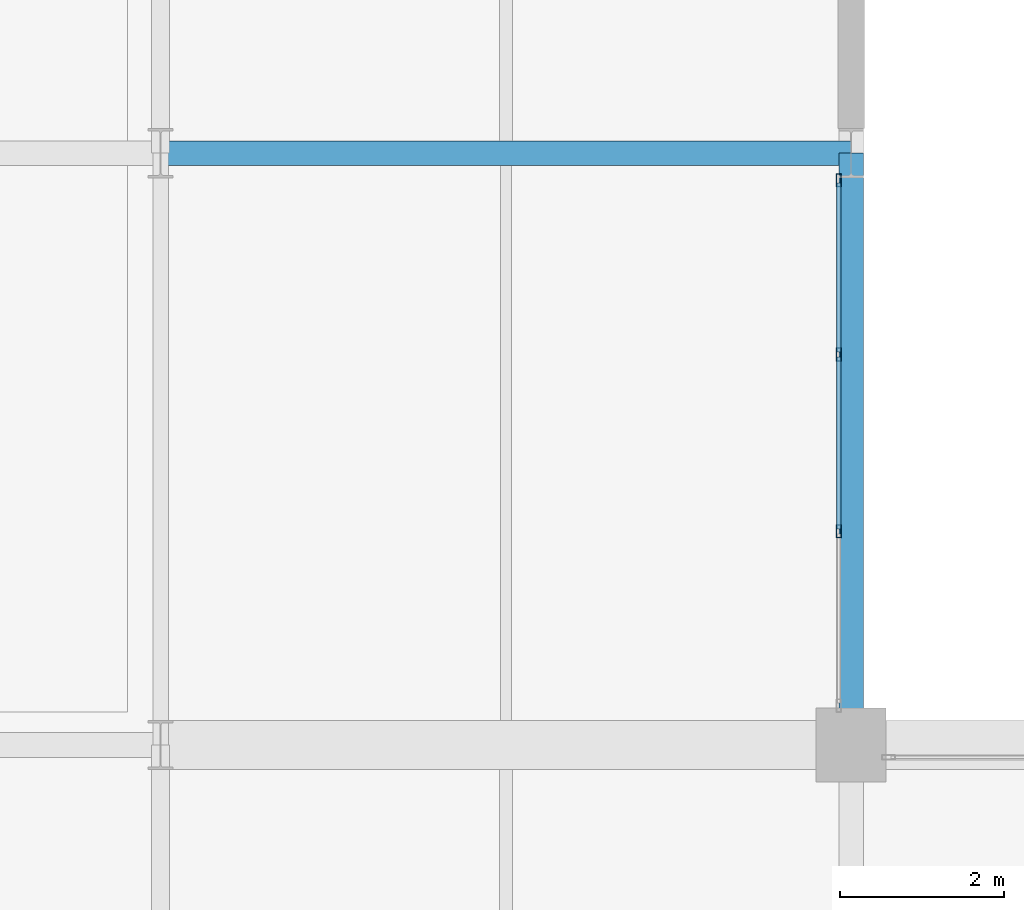
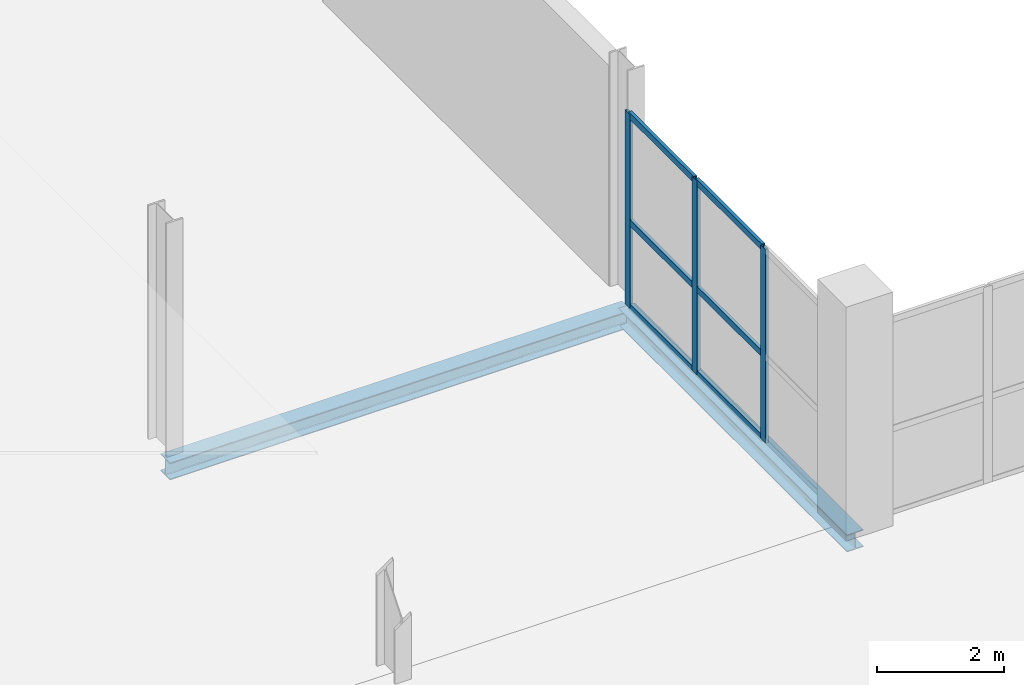
# One storey, part 49 of 130: 9 members, 2 beams, 1 element without a shape of its own.
"""IFC4 building model written with IfcOpenShell, lengths in metres."""

from ifc_helpers import new_model, si_unit, direction, frame, origin, origin_2d, place, context, subcontext, project, spatial, hollow_rectangle, i_section, extrude, material, material_profile, profile_set, type_object, element, aggregate, save


model = new_model("IFC4")

# Units and contexts
model_context = context("Model", 3, precision=1e-05, world=origin(), true_north=direction((0.0, 1.0)))
body_context = subcontext(model_context, "Body", "Model", "MODEL_VIEW")
ifc_project = project(units=[si_unit("LENGTHUNIT", "METRE"), si_unit("AREAUNIT", "SQUARE_METRE"), si_unit("VOLUMEUNIT", "CUBIC_METRE"), si_unit("PLANEANGLEUNIT", "RADIAN"), si_unit("MASSUNIT", "GRAM", prefix="KILO")], contexts=[model_context])

# Site, building, storey
site_placement = place(None, origin())
site = spatial("IfcSite", under=ifc_project, at=site_placement, CompositionType="ELEMENT")
building_placement = place(site_placement, origin())
building = spatial("IfcBuilding", under=site, at=building_placement, Name="Veltarok Museum of Natural Sciences", CompositionType="ELEMENT")
storey_placement = place(building_placement, frame((0.0, 0.0, 12.89990234375)))
storey = spatial("IfcBuildingStorey", under=building, at=storey_placement, Name="L02", CompositionType="ELEMENT", Elevation=12.89990234375)

# Curtain wall, members
ifc_material_1 = material(Name="Low-iron triple insulated glass", Category="glass")
curtain_wall_type = type_object("IfcCurtainWallType", Name="Curtain Wall System CW-V2E-L02-3-645x373 (CW-V2E L02 645x373cm)", PredefinedType="NOTDEFINED", material=ifc_material_1)
curtain_wall_placement = place(storey_placement, origin())
curtain_wall = element("IfcCurtainWall", 1, at=curtain_wall_placement, inside=storey, type_object=curtain_wall_type, Name="Curtain Wall CW-V2E-L02-3-645x373 CW-0131", PredefinedType="NOTDEFINED")
ifc_material_2 = material(Name="Thermally broken anodised aluminium", Category="aluminium")
ifc_material_profile_1 = material_profile(ifc_material_2, hollow_rectangle(XDim=0.06005859375, YDim=0.1201171875, WallThickness=0.0048828125, at=origin_2d()), Name="CW TRANSOM 60x120x5")
ifc_profile_set_1 = profile_set([ifc_material_profile_1], Name="Thermally broken anodised aluminium")
member_type_1 = type_object("IfcMemberType", Name="Curtain Wall Horizontal Transom 60x120x5", PredefinedType="USERDEFINED", material=ifc_profile_set_1)
member_1_placement = place(storey_placement, frame((98.64990234375, 21.830078125, 0.028076171875), z_axis=(0.0, 1.0, 0.0), x_axis=(-1.0, 0.0, 0.0)))
member_1 = element("IfcMember", 2, at=member_1_placement, type_object=member_type_1, Name="CW-V2E-L02-3-645x373 transom 2.1", ObjectType="TRANSOM", PredefinedType="USERDEFINED", context=body_context, shape_type="SweptSolid", body=[
    extrude(hollow_rectangle(XDim=0.06005859375, YDim=0.1201171875, WallThickness=0.0048828125, at=origin_2d()), origin(), (0.0, 0.0, 1.0), 2.08984375),
])
member_2_placement = place(storey_placement, frame((98.64990234375, 21.830078125, 1.648193359375), z_axis=(0.0, 1.0, 0.0), x_axis=(-1.0, 0.0, 0.0)))
member_2 = element("IfcMember", 3, at=member_2_placement, type_object=member_type_1, Name="CW-V2E-L02-3-645x373 transom 2.2", ObjectType="TRANSOM", PredefinedType="USERDEFINED", context=body_context, shape_type="SweptSolid", body=[
    extrude(hollow_rectangle(XDim=0.06005859375, YDim=0.1201171875, WallThickness=0.0048828125, at=origin_2d()), origin(), (0.0, 0.0, 1.0), 2.08984375),
])
member_3_placement = place(storey_placement, frame((98.64990234375, 21.830078125, 3.7001953125), z_axis=(0.0, 1.0, 0.0), x_axis=(-1.0, 0.0, 0.0)))
member_3 = element("IfcMember", 4, at=member_3_placement, type_object=member_type_1, Name="CW-V2E-L02-3-645x373 transom 2.3", ObjectType="TRANSOM", PredefinedType="USERDEFINED", context=body_context, shape_type="SweptSolid", body=[
    extrude(hollow_rectangle(XDim=0.06005859375, YDim=0.1201171875, WallThickness=0.0048828125, at=origin_2d()), origin(), (0.0, 0.0, 1.0), 2.08984375),
])
member_4_placement = place(storey_placement, frame((98.64990234375, 23.97998046875, 0.028076171875), z_axis=(0.0, 1.0, 0.0), x_axis=(-1.0, 0.0, 0.0)))
member_4 = element("IfcMember", 5, at=member_4_placement, type_object=member_type_1, Name="CW-V2E-L02-3-645x373 transom 3.1", ObjectType="TRANSOM", PredefinedType="USERDEFINED", context=body_context, shape_type="SweptSolid", body=[
    extrude(hollow_rectangle(XDim=0.06005859375, YDim=0.1201171875, WallThickness=0.0048828125, at=origin_2d()), origin(), (0.0, 0.0, 1.0), 2.06005859375),
])
member_5_placement = place(storey_placement, frame((98.64990234375, 23.97998046875, 1.648193359375), z_axis=(0.0, 1.0, 0.0), x_axis=(-1.0, 0.0, 0.0)))
member_5 = element("IfcMember", 6, at=member_5_placement, type_object=member_type_1, Name="CW-V2E-L02-3-645x373 transom 3.2", ObjectType="TRANSOM", PredefinedType="USERDEFINED", context=body_context, shape_type="SweptSolid", body=[
    extrude(hollow_rectangle(XDim=0.06005859375, YDim=0.1201171875, WallThickness=0.0048828125, at=origin_2d()), origin(), (0.0, 0.0, 1.0), 2.06005859375),
])
member_6_placement = place(storey_placement, frame((98.64990234375, 23.97998046875, 3.7001953125), z_axis=(0.0, 1.0, 0.0), x_axis=(-1.0, 0.0, 0.0)))
member_6 = element("IfcMember", 7, at=member_6_placement, type_object=member_type_1, Name="CW-V2E-L02-3-645x373 transom 3.3", ObjectType="TRANSOM", PredefinedType="USERDEFINED", context=body_context, shape_type="SweptSolid", body=[
    extrude(hollow_rectangle(XDim=0.06005859375, YDim=0.1201171875, WallThickness=0.0048828125, at=origin_2d()), origin(), (0.0, 0.0, 1.0), 2.06005859375),
])
ifc_material_profile_2 = material_profile(ifc_material_2, hollow_rectangle(XDim=0.06005859375, YDim=0.159912109375, WallThickness=0.0048828125, at=origin_2d()), Name="CW MULLION 60x160x5")
ifc_profile_set_2 = profile_set([ifc_material_profile_2], Name="Thermally broken anodised aluminium")
member_type_2 = type_object("IfcMemberType", Name="Curtain Wall Vertical Mullion 60x160x5", PredefinedType="MULLION", material=ifc_profile_set_2)
member_7_placement = place(storey_placement, frame((98.64990234375, 21.800048828125, -0.001953125), z_axis=(0.0, 0.0, 1.0), x_axis=(-1.0, 0.0, 0.0)))
member_7 = element("IfcMember", 8, at=member_7_placement, type_object=member_type_2, Name="CW-V2E-L02-3-645x373 mullion 2", PredefinedType="MULLION", context=body_context, shape_type="SweptSolid", body=[
    extrude(hollow_rectangle(XDim=0.06005859375, YDim=0.159912109375, WallThickness=0.0048828125, at=origin_2d()), origin(), (0.0, 0.0, 1.0), 3.73193359375),
])
member_8_placement = place(storey_placement, frame((98.64990234375, 23.949951171875, -0.001953125), z_axis=(0.0, 0.0, 1.0), x_axis=(-1.0, 0.0, 0.0)))
member_8 = element("IfcMember", 9, at=member_8_placement, type_object=member_type_2, Name="CW-V2E-L02-3-645x373 mullion 3", PredefinedType="MULLION", context=body_context, shape_type="SweptSolid", body=[
    extrude(hollow_rectangle(XDim=0.06005859375, YDim=0.159912109375, WallThickness=0.0048828125, at=origin_2d()), origin(), (0.0, 0.0, 1.0), 3.73193359375),
])
member_9_placement = place(storey_placement, frame((98.64990234375, 26.070068359375, -0.001953125), z_axis=(0.0, 0.0, 1.0), x_axis=(-1.0, 0.0, 0.0)))
member_9 = element("IfcMember", 10, at=member_9_placement, type_object=member_type_2, Name="CW-V2E-L02-3-645x373 mullion 4", PredefinedType="MULLION", context=body_context, shape_type="SweptSolid", body=[
    extrude(hollow_rectangle(XDim=0.06005859375, YDim=0.159912109375, WallThickness=0.0048828125, at=origin_2d()), origin(), (0.0, 0.0, 1.0), 3.73193359375),
])
aggregate(curtain_wall, [member_7, member_8, member_9, member_1, member_2, member_3, member_4, member_5, member_6])

# Beams
ifc_material_3 = material(Name="Steel S355J2", Category="steel")
ifc_material_profile_3 = material_profile(ifc_material_3, i_section(OverallWidth=0.300048828125, OverallDepth=0.330078125, WebThickness=0.009521484375, FlangeThickness=0.0166015625, FilletRadius=0.027099609375, at=origin_2d()), Name="HEA 340")
ifc_profile_set_3 = profile_set([ifc_material_profile_3], Name="Steel S355J2")
beam_type = type_object("IfcBeamType", Name="Perimeter Upper Spandrel HEA 340", PredefinedType="SPANDREL", material=ifc_profile_set_3)
beam_1_placement = place(storey_placement, frame((90.39990234375, 26.39990234375, -0.414794921875), z_axis=(1.0, 0.0, 0.0), x_axis=(0.0, 1.0, 0.0)))
element("IfcBeam", 11, at=beam_1_placement, inside=storey, type_object=beam_type, Name="Beam BM-SP05 L02 11-12/D", PredefinedType="SPANDREL", context=body_context, shape_type="SweptSolid", body=[
    extrude(i_section(OverallWidth=0.300048828125, OverallDepth=0.330078125, WebThickness=0.009521484375, FlangeThickness=0.0166015625, FilletRadius=0.027099609375, at=origin_2d()), origin(), (0.0, 0.0, 1.0), 8.400146484375),
])
beam_2_placement = place(storey_placement, frame((98.800048828125, 19.199951171875, -0.414794921875), z_axis=(0.0, 1.0, 0.0), x_axis=(-1.0, 0.0, 0.0)))
element("IfcBeam", 12, at=beam_2_placement, inside=storey, type_object=beam_type, Name="Beam BM-SP05 L02 12/C-D", PredefinedType="SPANDREL", context=body_context, shape_type="SweptSolid", body=[
    extrude(i_section(OverallWidth=0.300048828125, OverallDepth=0.330078125, WebThickness=0.009521484375, FlangeThickness=0.0166015625, FilletRadius=0.027099609375, at=origin_2d()), origin(), (0.0, 0.0, 1.0), 7.199951171875),
])

save(model, "model.ifc")
